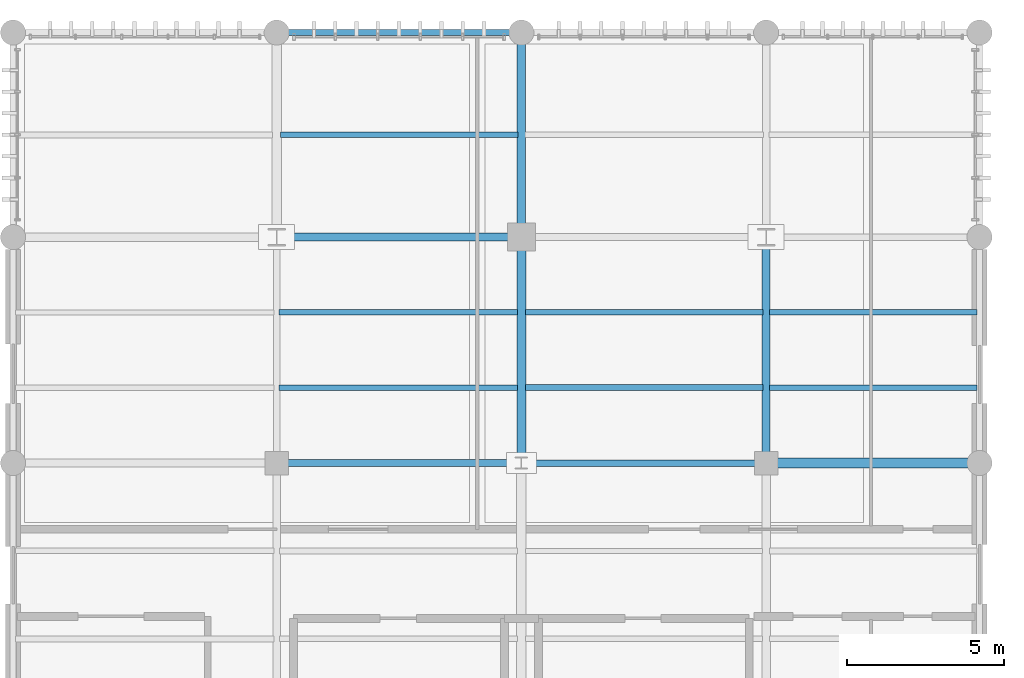
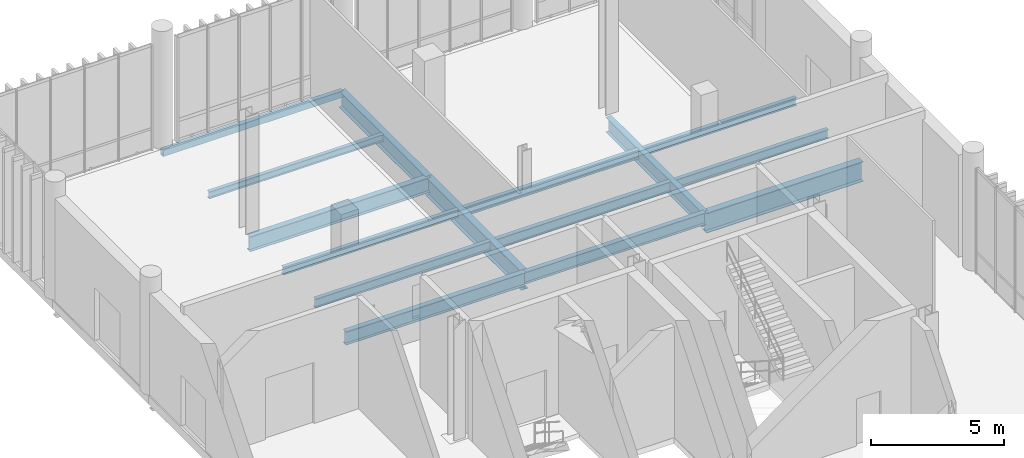
# One storey, part 71 of 112: 15 beams.
"""IFC4 building model written with IfcOpenShell, lengths in metres."""

from ifc_helpers import new_model, si_unit, direction, frame, origin_with_axes, origin_2d_with_axis, place, context, subcontext, project, spatial, hollow_rectangle, i_section, extrude, material, material_profile, profile_set, type_object, element, save


model = new_model("IFC4")

# Units and contexts
model_context = context("Model", 3, precision=1e-05, world=origin_with_axes(), true_north=direction((0.0, 1.0)))
body_context = subcontext(model_context, "Body", "Model", "MODEL_VIEW")
ifc_project = project(units=[si_unit("LENGTHUNIT", "METRE"), si_unit("AREAUNIT", "SQUARE_METRE"), si_unit("VOLUMEUNIT", "CUBIC_METRE"), si_unit("PLANEANGLEUNIT", "RADIAN"), si_unit("MASSUNIT", "GRAM", prefix="KILO"), si_unit("THERMODYNAMICTEMPERATUREUNIT", "KELVIN")], contexts=[model_context])

# Site, building, storey
site_placement = place(None, origin_with_axes())
site = spatial("IfcSite", under=ifc_project, at=site_placement, CompositionType="ELEMENT")
building_placement = place(site_placement, origin_with_axes())
building = spatial("IfcBuilding", under=site, at=building_placement, Name="Montbau Bow Law Courts", CompositionType="ELEMENT")
storey_placement = place(building_placement, origin_with_axes())
storey = spatial("IfcBuildingStorey", under=building, at=storey_placement, Name="L00", CompositionType="ELEMENT", Elevation=0.0)

# Beams
ifc_material_1 = material(Name="Steel CSA G40.21 Grade 350W (350 MPa)", Category="steel")
ifc_material_profile_1 = material_profile(ifc_material_1, i_section(OverallWidth=0.306, OverallDepth=0.919, WebThickness=0.0173, FlangeThickness=0.0279, at=origin_2d_with_axis()), Name="W920X253", Category="Main", Priority=0)
ifc_profile_set_1 = profile_set([ifc_material_profile_1], Name="Steel CSA G40.21 Grade 350W (350 MPa)")
beam_type_1 = type_object("IfcBeamType", Name="B-FLR-01", PredefinedType="BEAM", material=ifc_profile_set_1)
beam_1_placement = place(None, frame((162.6, 103.2, -0.72), z_axis=(1.0, 0.0, 0.0), x_axis=(0.0, 1.0, 0.0)))
element("IfcBeam", 1, at=beam_1_placement, inside=storey, type_object=beam_type_1, Name="BM-L00-S0422:bm2_0425", PredefinedType="BEAM", context=body_context, shape_type="SweptSolid", body=[
    extrude(i_section(OverallWidth=0.306, OverallDepth=0.919, WebThickness=0.0173, FlangeThickness=0.0279, at=origin_2d_with_axis()), origin_with_axes(), (0.0, 0.0, 1.0), 6.8),
])
ifc_material_profile_2 = material_profile(ifc_material_1, i_section(OverallWidth=0.293, OverallDepth=0.846, WebThickness=0.0154, FlangeThickness=0.0244, at=origin_2d_with_axis()), Name="W840X210", Category="Main", Priority=0)
ifc_profile_set_2 = profile_set([ifc_material_profile_2], Name="Steel CSA G40.21 Grade 350W (350 MPa)")
beam_type_2 = type_object("IfcBeamType", Name="B-FLR-02", PredefinedType="BEAM", material=ifc_profile_set_2)
beam_2_placement = place(None, frame((154.8, 103.2, -0.683), z_axis=(0.0, 1.0, 0.0), x_axis=(-1.0, 0.0, 0.0)))
element("IfcBeam", 2, at=beam_2_placement, inside=storey, type_object=beam_type_2, Name="BM-L00-S0450:bm2_0453", PredefinedType="BEAM", context=body_context, shape_type="SweptSolid", body=[
    extrude(i_section(OverallWidth=0.293, OverallDepth=0.846, WebThickness=0.0154, FlangeThickness=0.0244, at=origin_2d_with_axis()), origin_with_axes(), (0.0, 0.0, 1.0), 7.2),
])
ifc_material_profile_3 = material_profile(ifc_material_1, i_section(OverallWidth=0.267, OverallDepth=0.766, WebThickness=0.0149, FlangeThickness=0.0236, at=origin_2d_with_axis()), Name="W760X185", Category="Main", Priority=0)
ifc_profile_set_3 = profile_set([ifc_material_profile_3], Name="Steel CSA G40.21 Grade 350W (350 MPa)")
beam_type_3 = type_object("IfcBeamType", Name="B-FLR-03", PredefinedType="BEAM", material=ifc_profile_set_3)
beam_3_placement = place(None, frame((154.8, 110.4, -0.643), z_axis=(0.0, 1.0, 0.0), x_axis=(-1.0, 0.0, 0.0)))
element("IfcBeam", 3, at=beam_3_placement, inside=storey, type_object=beam_type_3, Name="BM-L00-S0451:bm2_0454", PredefinedType="BEAM", context=body_context, shape_type="SweptSolid", body=[
    extrude(i_section(OverallWidth=0.267, OverallDepth=0.766, WebThickness=0.0149, FlangeThickness=0.0236, at=origin_2d_with_axis()), origin_with_axes(), (0.0, 0.0, 1.0), 6.52),
])
ifc_material_profile_4 = material_profile(ifc_material_1, i_section(OverallWidth=0.254, OverallDepth=0.688, WebThickness=0.0131, FlangeThickness=0.0211, at=origin_2d_with_axis()), Name="W690X152", Category="Main", Priority=0)
ifc_profile_set_4 = profile_set([ifc_material_profile_4], Name="Steel CSA G40.21 Grade 350W (350 MPa)")
beam_type_4 = type_object("IfcBeamType", Name="B-FLR-04", PredefinedType="BEAM", material=ifc_profile_set_4)
beam_4_placement = place(None, frame((147.0, 110.4, -0.604), z_axis=(1.0, 0.0, 0.0), x_axis=(0.0, 1.0, 0.0)))
element("IfcBeam", 4, at=beam_4_placement, inside=storey, type_object=beam_type_4, Name="BM-L00-S0424:bm2_0427", PredefinedType="BEAM", context=body_context, shape_type="SweptSolid", body=[
    extrude(i_section(OverallWidth=0.254, OverallDepth=0.688, WebThickness=0.0131, FlangeThickness=0.0211, at=origin_2d_with_axis()), origin_with_axes(), (0.0, 0.0, 1.0), 7.8),
])
beam_5_placement = place(None, frame((162.6, 103.2, -0.604), z_axis=(0.0, 1.0, 0.0), x_axis=(-1.0, 0.0, 0.0)))
element("IfcBeam", 5, at=beam_5_placement, inside=storey, type_object=beam_type_4, Name="BM-L00-S0457:bm2_0460", PredefinedType="BEAM", context=body_context, shape_type="SweptSolid", body=[
    extrude(i_section(OverallWidth=0.254, OverallDepth=0.688, WebThickness=0.0131, FlangeThickness=0.0211, at=origin_2d_with_axis()), origin_with_axes(), (0.0, 0.0, 1.0), 7.2),
])
ifc_material_profile_5 = material_profile(ifc_material_1, i_section(OverallWidth=0.229, OverallDepth=0.612, WebThickness=0.0119, FlangeThickness=0.0196, at=origin_2d_with_axis()), Name="W610X125", Category="Main", Priority=0)
ifc_profile_set_5 = profile_set([ifc_material_profile_5], Name="Steel CSA G40.21 Grade 350W (350 MPa)")
beam_type_5 = type_object("IfcBeamType", Name="B-FLR-05", PredefinedType="BEAM", material=ifc_profile_set_5)
beam_6_placement = place(None, frame((147.0, 103.2, -0.566), z_axis=(1.0, 0.0, 0.0), x_axis=(0.0, 1.0, 0.0)))
element("IfcBeam", 6, at=beam_6_placement, inside=storey, type_object=beam_type_5, Name="BM-L00-S0420:bm2_0423", PredefinedType="BEAM", context=body_context, shape_type="SweptSolid", body=[
    extrude(i_section(OverallWidth=0.229, OverallDepth=0.612, WebThickness=0.0119, FlangeThickness=0.0196, at=origin_2d_with_axis()), origin_with_axes(), (0.0, 0.0, 1.0), 7.8),
])
ifc_material_profile_6 = material_profile(ifc_material_1, i_section(OverallWidth=0.21, OverallDepth=0.537, WebThickness=0.0109, FlangeThickness=0.0174, at=origin_2d_with_axis()), Name="W530X101", Category="Main", Priority=0)
ifc_profile_set_6 = profile_set([ifc_material_profile_6], Name="Steel CSA G40.21 Grade 350W (350 MPa)")
beam_type_6 = type_object("IfcBeamType", Name="B-FLR-06", PredefinedType="BEAM", material=ifc_profile_set_6)
beam_7_placement = place(None, frame((154.8, 103.2, -0.528), z_axis=(1.0, 0.0, 0.0), x_axis=(0.0, 1.0, 0.0)))
element("IfcBeam", 7, at=beam_7_placement, inside=storey, type_object=beam_type_6, Name="BM-L00-S0421:bm2_0424", PredefinedType="BEAM", context=body_context, shape_type="SweptSolid", body=[
    extrude(i_section(OverallWidth=0.21, OverallDepth=0.537, WebThickness=0.0109, FlangeThickness=0.0174, at=origin_2d_with_axis()), origin_with_axes(), (0.0, 0.0, 1.0), 7.8),
])
ifc_material_profile_7 = material_profile(ifc_material_1, i_section(OverallWidth=0.191, OverallDepth=0.46, WebThickness=0.0099, FlangeThickness=0.016, at=origin_2d_with_axis()), Name="W460X82", Category="Main", Priority=0)
ifc_profile_set_7 = profile_set([ifc_material_profile_7], Name="Steel CSA G40.21 Grade 350W (350 MPa)")
beam_type_7 = type_object("IfcBeamType", Name="B-JST-01", PredefinedType="JOIST", material=ifc_profile_set_7)
beam_8_placement = place(None, frame((154.923, 105.6, -0.49), z_axis=(1.0, 0.0, 0.0), x_axis=(0.0, 1.0, 0.0)))
element("IfcBeam", 8, at=beam_8_placement, inside=storey, type_object=beam_type_7, Name="JST-L00-S0212:jst2_0212", PredefinedType="JOIST", context=body_context, shape_type="SweptSolid", body=[
    extrude(i_section(OverallWidth=0.191, OverallDepth=0.46, WebThickness=0.0099, FlangeThickness=0.016, at=origin_2d_with_axis()), origin_with_axes(), (0.0, 0.0, 1.0), 7.574),
])
ifc_material_profile_8 = material_profile(ifc_material_1, i_section(OverallWidth=0.179, OverallDepth=0.41, WebThickness=0.0088, FlangeThickness=0.0144, at=origin_2d_with_axis()), Name="W410X67", Category="Main", Priority=0)
ifc_profile_set_8 = profile_set([ifc_material_profile_8], Name="Steel CSA G40.21 Grade 350W (350 MPa)")
beam_type_8 = type_object("IfcBeamType", Name="B-JST-02", PredefinedType="JOIST", material=ifc_profile_set_8)
beam_9_placement = place(None, frame((147.081, 105.6, -0.465), z_axis=(1.0, 0.0, 0.0), x_axis=(0.0, 1.0, 0.0)))
element("IfcBeam", 9, at=beam_9_placement, inside=storey, type_object=beam_type_8, Name="JST-L00-S0201:jst2_0201", PredefinedType="JOIST", context=body_context, shape_type="SweptSolid", body=[
    extrude(i_section(OverallWidth=0.179, OverallDepth=0.41, WebThickness=0.0088, FlangeThickness=0.0144, at=origin_2d_with_axis()), origin_with_axes(), (0.0, 0.0, 1.0), 7.597),
])
beam_10_placement = place(None, frame((154.923, 108.0, -0.465), z_axis=(1.0, 0.0, 0.0), x_axis=(0.0, 1.0, 0.0)))
element("IfcBeam", 10, at=beam_10_placement, inside=storey, type_object=beam_type_8, Name="JST-L00-S0213:jst2_0213", PredefinedType="JOIST", context=body_context, shape_type="SweptSolid", body=[
    extrude(i_section(OverallWidth=0.179, OverallDepth=0.41, WebThickness=0.0088, FlangeThickness=0.0144, at=origin_2d_with_axis()), origin_with_axes(), (0.0, 0.0, 1.0), 7.574),
])
beam_11_placement = place(None, frame((162.703, 105.6, -0.465), z_axis=(1.0, 0.0, 0.0), x_axis=(0.0, 1.0, 0.0)))
element("IfcBeam", 11, at=beam_11_placement, inside=storey, type_object=beam_type_8, Name="JST-L00-S0225:jst2_0225", PredefinedType="JOIST", context=body_context, shape_type="SweptSolid", body=[
    extrude(i_section(OverallWidth=0.179, OverallDepth=0.41, WebThickness=0.0088, FlangeThickness=0.0144, at=origin_2d_with_axis()), origin_with_axes(), (0.0, 0.0, 1.0), 6.617),
])
ifc_material_profile_9 = material_profile(ifc_material_1, i_section(OverallWidth=0.172, OverallDepth=0.358, WebThickness=0.0079, FlangeThickness=0.0131, at=origin_2d_with_axis()), Name="W360X57", Category="Main", Priority=0)
ifc_profile_set_9 = profile_set([ifc_material_profile_9], Name="Steel CSA G40.21 Grade 350W (350 MPa)")
beam_type_9 = type_object("IfcBeamType", Name="B-JST-03", PredefinedType="JOIST", material=ifc_profile_set_9)
beam_12_placement = place(None, frame((147.081, 108.0, -0.439), z_axis=(1.0, 0.0, 0.0), x_axis=(0.0, 1.0, 0.0)))
element("IfcBeam", 12, at=beam_12_placement, inside=storey, type_object=beam_type_9, Name="JST-L00-S0202:jst2_0202", PredefinedType="JOIST", context=body_context, shape_type="SweptSolid", body=[
    extrude(i_section(OverallWidth=0.172, OverallDepth=0.358, WebThickness=0.0079, FlangeThickness=0.0131, at=origin_2d_with_axis()), origin_with_axes(), (0.0, 0.0, 1.0), 7.597),
])
beam_13_placement = place(None, frame((162.703, 108.0, -0.439), z_axis=(1.0, 0.0, 0.0), x_axis=(0.0, 1.0, 0.0)))
element("IfcBeam", 13, at=beam_13_placement, inside=storey, type_object=beam_type_9, Name="JST-L00-S0226:jst2_0226", PredefinedType="JOIST", context=body_context, shape_type="SweptSolid", body=[
    extrude(i_section(OverallWidth=0.172, OverallDepth=0.358, WebThickness=0.0079, FlangeThickness=0.0131, at=origin_2d_with_axis()), origin_with_axes(), (0.0, 0.0, 1.0), 6.617),
])
ifc_material_profile_10 = material_profile(ifc_material_1, i_section(OverallWidth=0.166, OverallDepth=0.313, WebThickness=0.0066, FlangeThickness=0.0112, at=origin_2d_with_axis()), Name="W310X45", Category="Main", Priority=0)
ifc_profile_set_10 = profile_set([ifc_material_profile_10], Name="Steel CSA G40.21 Grade 350W (350 MPa)")
beam_type_10 = type_object("IfcBeamType", Name="B-JST-04", PredefinedType="JOIST", material=ifc_profile_set_10)
beam_14_placement = place(None, frame((147.129, 113.66, -0.416), z_axis=(1.0, 0.0, 0.0), x_axis=(0.0, 1.0, 0.0)))
element("IfcBeam", 14, at=beam_14_placement, inside=storey, type_object=beam_type_10, Name="JST-L00-S0203:jst2_0203", PredefinedType="JOIST", context=body_context, shape_type="SweptSolid", body=[
    extrude(i_section(OverallWidth=0.166, OverallDepth=0.313, WebThickness=0.0066, FlangeThickness=0.0112, at=origin_2d_with_axis()), origin_with_axes(), (0.0, 0.0, 1.0), 7.562),
])
ifc_material_2 = material(Name="Steel CSA G40.21 Grade 350WT (350 MPa)", Category="steel")
ifc_material_profile_11 = material_profile(ifc_material_2, hollow_rectangle(XDim=0.203, YDim=0.305, WallThickness=0.0127, InnerFilletRadius=0.0254, OuterFilletRadius=0.0127, at=origin_2d_with_axis()), Name="HSS305X203X13", Category="Main", Priority=0)
ifc_profile_set_11 = profile_set([ifc_material_profile_11], Name="Steel CSA G40.21 Grade 350WT (350 MPa)")
beam_type_11 = type_object("IfcBeamType", Name="B-SPN-02", PredefinedType="SPANDREL", material=ifc_profile_set_11)
beam_15_placement = place(None, frame((147.0, 116.92, -0.412), z_axis=(1.0, 0.0, 0.0), x_axis=(0.0, 1.0, 0.0)))
element("IfcBeam", 15, at=beam_15_placement, inside=storey, type_object=beam_type_11, Name="SPN-L00-S0428:bm2_0431", PredefinedType="SPANDREL", context=body_context, shape_type="SweptSolid", body=[
    extrude(hollow_rectangle(XDim=0.203, YDim=0.305, WallThickness=0.0127, InnerFilletRadius=0.0254, OuterFilletRadius=0.0127, at=origin_2d_with_axis()), origin_with_axes(), (0.0, 0.0, 1.0), 7.8),
])

save(model, "model.ifc")
